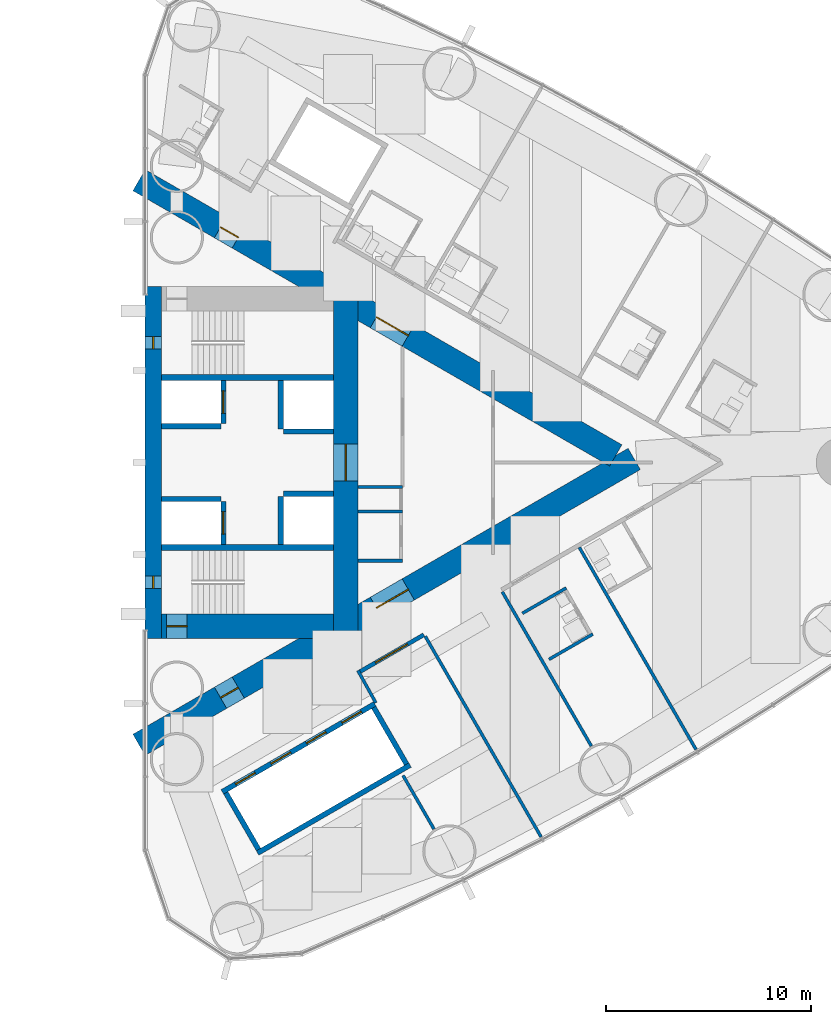
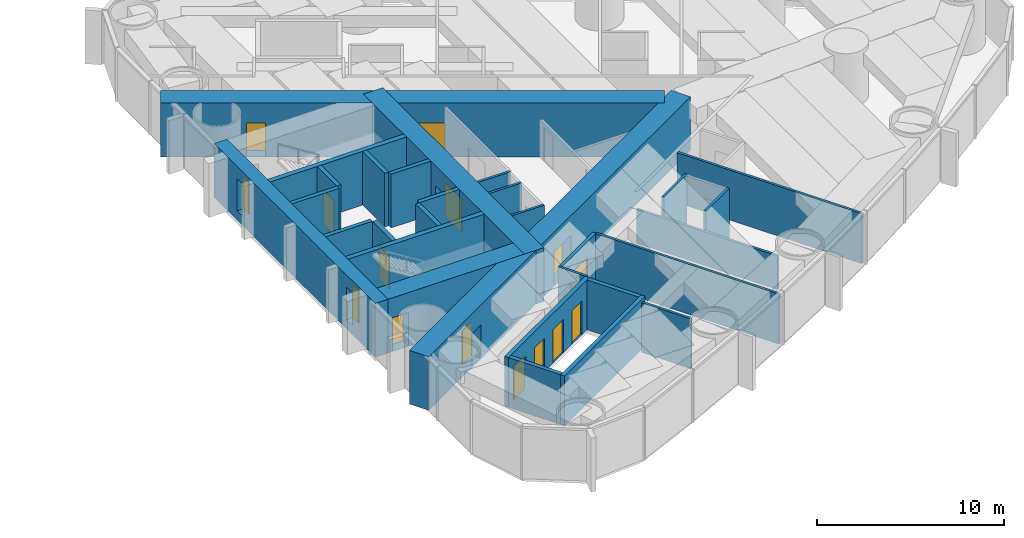
# One storey, part 13 of 18: 30 walls, 13 doors, 2 windows, 15 openings.
"""IFC4 building model written with IfcOpenShell, lengths in metres."""

from ifc_helpers import new_model, si_unit, direction, frame, frame_2d, origin, place, context, subcontext, project, spatial, rectangle, extrude, material, layer, layer_set, type_object, element, fill, save


model = new_model("IFC4")

# Units and contexts
model_context = context("Model", 3, precision=1e-05, world=origin(), true_north=direction((0.0, 1.0)))
body_context = subcontext(model_context, "Body", "Model", "MODEL_VIEW")
ifc_project = project(units=[si_unit("LENGTHUNIT", "METRE"), si_unit("AREAUNIT", "SQUARE_METRE"), si_unit("VOLUMEUNIT", "CUBIC_METRE"), si_unit("PLANEANGLEUNIT", "RADIAN"), si_unit("MASSUNIT", "GRAM", prefix="KILO")], contexts=[model_context])

# Site, building, storey
site_placement = place(None, origin())
site = spatial("IfcSite", under=ifc_project, at=site_placement, CompositionType="ELEMENT")
building_placement = place(site_placement, origin())
building = spatial("IfcBuilding", under=site, at=building_placement, Name="Lancet Gate Hotel", CompositionType="ELEMENT")
storey_placement = place(building_placement, frame((0.0, 0.0, 129.10009765625)))
storey = spatial("IfcBuildingStorey", under=building, at=storey_placement, Name="L34", CompositionType="ELEMENT", Elevation=129.10009765625)

# Walls
ifc_material_1 = material(Name="Moisture resistant board partition")
ifc_layer_1 = layer(ifc_material_1, 0.14990234375)
ifc_layer_set_1 = layer_set([ifc_layer_1], Name="Bathroom wall 150")
wall_type_1 = type_object("IfcWallType", Name="Bathroom wall 150", PredefinedType="PARTITIONING", material=ifc_layer_set_1)
wall_1_placement = place(storey_placement, frame((47.235107421875, -9.622802734375, 0.0), z_axis=(0.0, 0.0, 1.0), x_axis=(0.866006523861, 0.500032699561, 0.0)))
element("IfcWall", 1, at=wall_1_placement, inside=storey, type_object=wall_type_1, Name="T2 bathroom wall 150 L34", PredefinedType="PARTITIONING", context=body_context, shape_type="SweptSolid", body=[
    extrude(rectangle(XDim=2.474853515625, YDim=0.14990234375, at=frame_2d((1.2373046875, 0.0))), origin(), (0.0, 0.0, 1.0), 3.25),
])
wall_2_placement = place(storey_placement, frame((45.93505859375, -7.37109375, 0.0), z_axis=(0.0, 0.0, 1.0), x_axis=(0.866031185235, 0.4999899861, 0.0)))
element("IfcWall", 2, at=wall_2_placement, inside=storey, type_object=wall_type_1, Name="T2 bathroom wall 150 L34", PredefinedType="PARTITIONING", context=body_context, shape_type="SweptSolid", body=[
    extrude(rectangle(XDim=2.47509765625, YDim=0.14990234375, at=frame_2d((1.237548828125, 0.0))), origin(), (0.0, 0.0, 1.0), 3.25),
])

# Wall, openings, doors
ifc_material_2 = material(Name="Concrete C70/85", Category="concrete")
ifc_layer_2 = layer(ifc_material_2, 1.199951171875)
ifc_layer_set_2 = layer_set([ifc_layer_2], Name="Buttress wall 1200")
wall_type_2 = type_object("IfcWallType", Name="Buttress wall 1200", PredefinedType="SHEAR", material=ifc_layer_set_2)
wall_3_placement = place(storey_placement, frame((27.199951171875, -13.800048828125, 0.0), z_axis=(0.0, 0.0, 1.0), x_axis=(0.866027159892, 0.499996958321, 0.0)))
wall_3 = element("IfcWall", 3, at=wall_3_placement, inside=storey, type_object=wall_type_2, Name="T2 buttress wall S L34", PredefinedType="SHEAR", context=body_context, shape_type="SweptSolid", body=[
    extrude(rectangle(XDim=27.946533203125, YDim=1.199951171875, at=frame_2d((13.97314453125, 0.0))), origin(), (0.0, 0.0, 1.0), 3.5),
])
opening_1_placement = place(wall_3_placement, frame((4.60009765625, 0.0, 0.0)))
opening_1 = element("IfcOpeningElement", 4, at=opening_1_placement, cuts=wall_3, Name="Opening T2-L34-LS", PredefinedType="OPENING", context=body_context, shape_type="SweptSolid", body=[
    extrude(rectangle(XDim=1.0, YDim=2.199951171875, at=frame_2d((0.5, 1.10009765625))), frame((0.0, 0.60986328125, 0.0), z_axis=(0.0, -1.0, 0.0), x_axis=(1.0, 0.0, 0.0)), (0.0, 0.0, 1.0), 1.219970703125),
])
opening_2_placement = place(wall_3_placement, frame((13.39453125, 0.0, 0.0)))
opening_2 = element("IfcOpeningElement", 5, at=opening_2_placement, cuts=wall_3, Name="Opening T2-L34-LHS", PredefinedType="OPENING", context=body_context, shape_type="SweptSolid", body=[
    extrude(rectangle(XDim=1.800048828125, YDim=2.199951171875, at=frame_2d((0.89990234375, 1.10009765625))), frame((0.0, 0.60986328125, 0.0), z_axis=(0.0, -1.0, 0.0), x_axis=(1.0, 0.0, 0.0)), (0.0, 0.0, 1.0), 1.219970703125),
])
ifc_material_3 = material(Name="Timber door set", Category="wood")
door_type_1 = type_object("IfcDoorType", Name="Lobby double door 1800", OperationType="DOUBLE_DOOR_SINGLE_SWING", PredefinedType="DOOR", material=ifc_material_3)
door_1_placement = place(opening_2_placement, origin())
door_1 = element("IfcDoor", 6, at=door_1_placement, inside=storey, type_object=door_type_1, Name="T2-L34-LHS", OperationType="DOUBLE_DOOR_SINGLE_SWING", OverallHeight=2.199951171875, OverallWidth=1.800048828125, PredefinedType="DOOR", context=body_context, shape_type="SweptSolid", body=[
    extrude(rectangle(XDim=1.800048828125, YDim=2.199951171875, at=frame_2d((0.89990234375, 1.10009765625))), frame((0.0, 0.02490234375, 0.0), z_axis=(0.0, -1.0, 0.0), x_axis=(1.0, 0.0, 0.0)), (0.0, 0.0, 1.0), 0.050048828125),
])
fill(opening_2, door_1)
ifc_material_4 = material(Name="Timber door set", Category="wood")
door_type_2 = type_object("IfcDoorType", Name="Stair lobby door 1000", OperationType="SINGLE_SWING_LEFT", PredefinedType="DOOR", material=ifc_material_4)
door_2_placement = place(opening_1_placement, origin())
door_2 = element("IfcDoor", 7, at=door_2_placement, inside=storey, type_object=door_type_2, Name="T2-L34-LS", OperationType="SINGLE_SWING_LEFT", OverallHeight=2.199951171875, OverallWidth=1.0, PredefinedType="DOOR", context=body_context, shape_type="SweptSolid", body=[
    extrude(rectangle(XDim=1.0, YDim=2.199951171875, at=frame_2d((0.5, 1.10009765625))), frame((0.0, 0.02490234375, 0.0), z_axis=(0.0, -1.0, 0.0), x_axis=(1.0, 0.0, 0.0)), (0.0, 0.0, 1.0), 0.050048828125),
])
fill(opening_1, door_2)

wall_4_placement = place(storey_placement, frame((27.199951171875, 13.800048828125, 0.0), z_axis=(0.0, 0.0, 1.0), x_axis=(0.866024515034, -0.500001539357, 0.0)))
wall_4 = element("IfcWall", 8, at=wall_4_placement, inside=storey, type_object=wall_type_2, Name="T2 buttress wall N L34", PredefinedType="SHEAR", context=body_context, shape_type="SweptSolid", body=[
    extrude(rectangle(XDim=26.9072265625, YDim=1.199951171875, at=frame_2d((13.45361328125, 0.0))), origin(), (0.0, 0.0, 1.0), 3.5),
])
opening_3_placement = place(wall_4_placement, frame((4.60009765625, 0.0, 0.0)))
opening_3 = element("IfcOpeningElement", 9, at=opening_3_placement, cuts=wall_4, Name="Opening T2-L34-LN", PredefinedType="OPENING", context=body_context, shape_type="SweptSolid", body=[
    extrude(rectangle(XDim=1.0, YDim=2.199951171875, at=frame_2d((0.5, 1.10009765625))), frame((0.0, 0.60986328125, 0.0), z_axis=(0.0, -1.0, 0.0), x_axis=(1.0, 0.0, 0.0)), (0.0, 0.0, 1.0), 1.219970703125),
])
opening_4_placement = place(wall_4_placement, frame((13.39453125, 0.0, 0.0)))
opening_4 = element("IfcOpeningElement", 10, at=opening_4_placement, cuts=wall_4, Name="Opening T2-L34-LHN", PredefinedType="OPENING", context=body_context, shape_type="SweptSolid", body=[
    extrude(rectangle(XDim=1.800048828125, YDim=2.199951171875, at=frame_2d((0.89990234375, 1.10009765625))), frame((0.0, 0.60986328125, 0.0), z_axis=(0.0, -1.0, 0.0), x_axis=(1.0, 0.0, 0.0)), (0.0, 0.0, 1.0), 1.219970703125),
])
door_3_placement = place(opening_4_placement, origin())
door_3 = element("IfcDoor", 11, at=door_3_placement, inside=storey, type_object=door_type_1, Name="T2-L34-LHN", OperationType="DOUBLE_DOOR_SINGLE_SWING", OverallHeight=2.199951171875, OverallWidth=1.800048828125, PredefinedType="DOOR", context=body_context, shape_type="SweptSolid", body=[
    extrude(rectangle(XDim=1.800048828125, YDim=2.199951171875, at=frame_2d((0.89990234375, 1.10009765625))), frame((0.0, 0.02490234375, 0.0), z_axis=(0.0, -1.0, 0.0), x_axis=(1.0, 0.0, 0.0)), (0.0, 0.0, 1.0), 0.050048828125),
])
fill(opening_4, door_3)
door_4_placement = place(opening_3_placement, origin())
door_4 = element("IfcDoor", 12, at=door_4_placement, inside=storey, type_object=door_type_2, Name="T2-L34-LN", OperationType="SINGLE_SWING_LEFT", OverallHeight=2.199951171875, OverallWidth=1.0, PredefinedType="DOOR", context=body_context, shape_type="SweptSolid", body=[
    extrude(rectangle(XDim=1.0, YDim=2.199951171875, at=frame_2d((0.5, 1.10009765625))), frame((0.0, 0.02490234375, 0.0), z_axis=(0.0, -1.0, 0.0), x_axis=(1.0, 0.0, 0.0)), (0.0, 0.0, 1.0), 0.050048828125),
])
fill(opening_3, door_4)

# Wall, opening, door
ifc_material_5 = material(Name="Concrete C70/85", Category="concrete")
ifc_layer_3 = layer(ifc_material_5, 1.199951171875)
ifc_layer_set_3 = layer_set([ifc_layer_3], Name="Core wall 1200")
wall_type_3 = type_object("IfcWallType", Name="Core wall 1200", PredefinedType="SHEAR", material=ifc_layer_set_3)
wall_5_placement = place(storey_placement, frame((37.300048828125, -8.60009765625, 0.0), z_axis=(0.0, 0.0, 1.0), x_axis=(0.0, 1.0, 0.0)))
wall_5 = element("IfcWall", 13, at=wall_5_placement, inside=storey, type_object=wall_type_3, Name="T2 core wall back L34", PredefinedType="SHEAR", context=body_context, shape_type="SweptSolid", body=[
    extrude(rectangle(XDim=17.2001953125, YDim=1.199951171875, at=frame_2d((8.60009765625, 0.0))), origin(), (0.0, 0.0, 1.0), 3.5),
])
opening_5_placement = place(wall_5_placement, frame((7.699951171875, 0.0, 0.0)))
opening_5 = element("IfcOpeningElement", 14, at=opening_5_placement, cuts=wall_5, Name="Opening T2-L34-LL", PredefinedType="OPENING", context=body_context, shape_type="SweptSolid", body=[
    extrude(rectangle(XDim=1.800048828125, YDim=2.199951171875, at=frame_2d((0.89990234375, 1.10009765625))), frame((0.0, 0.60986328125, 0.0), z_axis=(0.0, -1.0, 0.0), x_axis=(1.0, 0.0, 0.0)), (0.0, 0.0, 1.0), 1.219970703125),
])
door_5_placement = place(opening_5_placement, origin())
door_5 = element("IfcDoor", 15, at=door_5_placement, inside=storey, type_object=door_type_1, Name="T2-L34-LL", OperationType="DOUBLE_DOOR_SINGLE_SWING", OverallHeight=2.199951171875, OverallWidth=1.800048828125, PredefinedType="DOOR", context=body_context, shape_type="SweptSolid", body=[
    extrude(rectangle(XDim=1.800048828125, YDim=2.199951171875, at=frame_2d((0.89990234375, 1.10009765625))), frame((0.0, 0.02490234375, 0.0), z_axis=(0.0, -1.0, 0.0), x_axis=(1.0, 0.0, 0.0)), (0.0, 0.0, 1.0), 0.050048828125),
])
fill(opening_5, door_5)

wall_6_placement = place(storey_placement, frame((28.300048828125, -8.0, 0.0), z_axis=(0.0, 0.0, 1.0), x_axis=(1.0, 0.0, 0.0)))
wall_6 = element("IfcWall", 16, at=wall_6_placement, inside=storey, type_object=wall_type_3, Name="T2 core wall side-S L34", PredefinedType="SHEAR", context=body_context, shape_type="SweptSolid", body=[
    extrude(rectangle(XDim=8.39990234375, YDim=1.199951171875, at=frame_2d((4.199951171875, 0.0))), origin(), (0.0, 0.0, 1.0), 3.5),
])
opening_6_placement = place(wall_6_placement, frame((0.25, 0.0, 0.0)))
opening_6 = element("IfcOpeningElement", 17, at=opening_6_placement, cuts=wall_6, Name="Opening T2-L34-ST1", PredefinedType="OPENING", context=body_context, shape_type="SweptSolid", body=[
    extrude(rectangle(XDim=1.0, YDim=2.199951171875, at=frame_2d((0.5, 1.10009765625))), frame((0.0, 0.60986328125, 0.0), z_axis=(0.0, -1.0, 0.0), x_axis=(1.0, 0.0, 0.0)), (0.0, 0.0, 1.0), 1.219970703125),
])
ifc_material_6 = material(Name="Timber door set", Category="wood")
door_type_3 = type_object("IfcDoorType", Name="Stair door 1000", OperationType="SINGLE_SWING_RIGHT", PredefinedType="DOOR", material=ifc_material_6)
door_6_placement = place(opening_6_placement, origin())
door_6 = element("IfcDoor", 18, at=door_6_placement, inside=storey, type_object=door_type_3, Name="T2-L34-ST1", OperationType="SINGLE_SWING_RIGHT", OverallHeight=2.199951171875, OverallWidth=1.0, PredefinedType="DOOR", context=body_context, shape_type="SweptSolid", body=[
    extrude(rectangle(XDim=1.0, YDim=2.199951171875, at=frame_2d((0.5, 1.10009765625))), frame((0.0, 0.02490234375, 0.0), z_axis=(0.0, -1.0, 0.0), x_axis=(1.0, 0.0, 0.0)), (0.0, 0.0, 1.0), 0.050048828125),
])
fill(opening_6, door_6)

# Wall, openings, windows
ifc_material_7 = material(Name="Concrete C70/85", Category="concrete")
ifc_layer_4 = layer(ifc_material_7, 0.800048828125)
ifc_layer_set_4 = layer_set([ifc_layer_4], Name="Core wall 800")
wall_type_4 = type_object("IfcWallType", Name="Core wall 800", PredefinedType="SHEAR", material=ifc_layer_set_4)
wall_7_placement = place(storey_placement, frame((27.89990234375, -8.60009765625, 0.0), z_axis=(0.0, 0.0, 1.0), x_axis=(0.0, 1.0, 0.0)))
wall_7 = element("IfcWall", 19, at=wall_7_placement, inside=storey, type_object=wall_type_4, Name="T2 core wall front L34", PredefinedType="SHEAR", context=body_context, shape_type="SweptSolid", body=[
    extrude(rectangle(XDim=17.2001953125, YDim=0.800048828125, at=frame_2d((8.60009765625, 0.0))), origin(), (0.0, 0.0, 1.0), 3.5),
])
opening_7_placement = place(wall_7_placement, frame((2.449951171875, 0.0, 0.60009765625)))
opening_7 = element("IfcOpeningElement", 20, at=opening_7_placement, cuts=wall_7, Name="Opening LW1", PredefinedType="OPENING", context=body_context, shape_type="SweptSolid", body=[
    extrude(rectangle(XDim=0.60009765625, YDim=2.10009765625, at=frame_2d((0.300048828125, 1.050048828125))), frame((0.0, 0.409912109375, 0.0), z_axis=(0.0, -1.0, 0.0), x_axis=(1.0, 0.0, 0.0)), (0.0, 0.0, 1.0), 0.820068359375),
])
opening_8_placement = place(wall_7_placement, frame((14.14990234375, 0.0, 0.60009765625)))
opening_8 = element("IfcOpeningElement", 21, at=opening_8_placement, cuts=wall_7, Name="Opening LW1", PredefinedType="OPENING", context=body_context, shape_type="SweptSolid", body=[
    extrude(rectangle(XDim=0.60009765625, YDim=2.10009765625, at=frame_2d((0.300048828125, 1.050048828125))), frame((0.0, 0.409912109375, 0.0), z_axis=(0.0, -1.0, 0.0), x_axis=(1.0, 0.0, 0.0)), (0.0, 0.0, 1.0), 0.820068359375),
])
ifc_material_8 = material(Name="Fire-resisting glazed steel window", Category="steel")
window_type = type_object("IfcWindowType", Name="Lancet window 600x2100", PartitioningType="SINGLE_PANEL", PredefinedType="WINDOW", material=ifc_material_8)
window_1_placement = place(opening_7_placement, origin())
window_1 = element("IfcWindow", 22, at=window_1_placement, inside=storey, type_object=window_type, Name="T2 stair window S L34", OverallHeight=2.10009765625, OverallWidth=0.60009765625, PartitioningType="SINGLE_PANEL", PredefinedType="WINDOW", context=body_context, shape_type="SweptSolid", body=[
    extrude(rectangle(XDim=0.60009765625, YDim=2.10009765625, at=frame_2d((0.300048828125, 1.050048828125))), frame((0.0, 0.030029296875, 0.0), z_axis=(0.0, -1.0, 0.0), x_axis=(1.0, 0.0, 0.0)), (0.0, 0.0, 1.0), 0.06005859375),
])
fill(opening_7, window_1)
window_2_placement = place(opening_8_placement, origin())
window_2 = element("IfcWindow", 23, at=window_2_placement, inside=storey, type_object=window_type, Name="T2 stair window N L34", OverallHeight=2.10009765625, OverallWidth=0.60009765625, PartitioningType="SINGLE_PANEL", PredefinedType="WINDOW", context=body_context, shape_type="SweptSolid", body=[
    extrude(rectangle(XDim=0.60009765625, YDim=2.10009765625, at=frame_2d((0.300048828125, 1.050048828125))), frame((0.0, 0.030029296875, 0.0), z_axis=(0.0, -1.0, 0.0), x_axis=(1.0, 0.0, 0.0)), (0.0, 0.0, 1.0), 0.06005859375),
])
fill(opening_8, window_2)

# Wall, opening, door
ifc_material_9 = material(Name="Gypsum board partition")
ifc_layer_5 = layer(ifc_material_9, 0.199951171875)
ifc_layer_set_5 = layer_set([ifc_layer_5], Name="Corridor wall 200")
wall_type_5 = type_object("IfcWallType", Name="Corridor wall 200", PredefinedType="PARTITIONING", material=ifc_layer_set_5)
wall_8_placement = place(storey_placement, frame((37.9599609375, -10.243408203125, 0.0), z_axis=(0.0, 0.0, 1.0), x_axis=(0.866042886279, 0.499969718208, 0.0)))
wall_8 = element("IfcWall", 24, at=wall_8_placement, inside=storey, type_object=wall_type_5, Name="T2 corridor wall 200 L34", PredefinedType="PARTITIONING", context=body_context, shape_type="SweptSolid", body=[
    extrude(rectangle(XDim=3.646728515625, YDim=0.199951171875, at=frame_2d((1.8232421875, 0.0))), origin(), (0.0, 0.0, 1.0), 3.25),
])
opening_9_placement = place(wall_8_placement, frame((0.92333984375, 0.0, 0.0)))
opening_9 = element("IfcOpeningElement", 25, at=opening_9_placement, cuts=wall_8, Name="Opening T2-L34-LO2", PredefinedType="OPENING", context=body_context, shape_type="SweptSolid", body=[
    extrude(rectangle(XDim=1.800048828125, YDim=2.199951171875, at=frame_2d((0.89990234375, 1.10009765625))), frame((0.0, 0.10986328125, 0.0), z_axis=(0.0, -1.0, 0.0), x_axis=(1.0, 0.0, 0.0)), (0.0, 0.0, 1.0), 0.219970703125),
])
ifc_material_10 = material(Name="Timber door set", Category="wood")
door_type_4 = type_object("IfcDoorType", Name="Double door 1800", OperationType="DOUBLE_DOOR_SINGLE_SWING", PredefinedType="DOOR", material=ifc_material_10)
door_7_placement = place(opening_9_placement, origin())
door_7 = element("IfcDoor", 26, at=door_7_placement, inside=storey, type_object=door_type_4, Name="T2-L34-LO2", OperationType="DOUBLE_DOOR_SINGLE_SWING", OverallHeight=2.199951171875, OverallWidth=1.800048828125, PredefinedType="DOOR", context=body_context, shape_type="SweptSolid", body=[
    extrude(rectangle(XDim=1.800048828125, YDim=2.199951171875, at=frame_2d((0.89990234375, 1.10009765625))), frame((0.0, 0.02490234375, 0.0), z_axis=(0.0, -1.0, 0.0), x_axis=(1.0, 0.0, 0.0)), (0.0, 0.0, 1.0), 0.050048828125),
])
fill(opening_9, door_7)

# Wall, openings, doors
ifc_material_11 = material(Name="Gypsum board partition")
ifc_layer_6 = layer(ifc_material_11, 0.25)
ifc_layer_set_6 = layer_set([ifc_layer_6], Name="Lift shaft partition 250")
wall_type_6 = type_object("IfcWallType", Name="Lift shaft partition 250", PredefinedType="PARTITIONING", material=ifc_layer_set_6)
wall_9_placement = place(storey_placement, frame((31.2705078125, -16.09716796875, 0.0), z_axis=(0.0, 0.0, 1.0), x_axis=(0.86604045752, 0.499973925258, 0.0)))
wall_9 = element("IfcWall", 27, at=wall_9_placement, inside=storey, type_object=wall_type_6, Name="T2 lift shaft wall LR L34", PredefinedType="PARTITIONING", context=body_context, shape_type="SweptSolid", body=[
    extrude(rectangle(XDim=8.60009765625, YDim=0.25, at=frame_2d((4.300048828125, 0.0))), origin(), (0.0, 0.0, 1.0), 3.25),
])
opening_10_placement = place(wall_9_placement, frame((0.75, 0.0, 0.0)))
opening_10 = element("IfcOpeningElement", 28, at=opening_10_placement, cuts=wall_9, Name="Opening T2-LR1-L34", PredefinedType="OPENING", context=body_context, shape_type="SweptSolid", body=[
    extrude(rectangle(XDim=1.10009765625, YDim=2.199951171875, at=frame_2d((0.550048828125, 1.10009765625))), frame((0.0, 0.135009765625, 0.0), z_axis=(0.0, -1.0, 0.0), x_axis=(1.0, 0.0, 0.0)), (0.0, 0.0, 1.0), 0.27001953125),
])
opening_11_placement = place(wall_9_placement, frame((2.75, 0.0, 0.0)))
opening_11 = element("IfcOpeningElement", 29, at=opening_11_placement, cuts=wall_9, Name="Opening T2-LR2-L34", PredefinedType="OPENING", context=body_context, shape_type="SweptSolid", body=[
    extrude(rectangle(XDim=1.10009765625, YDim=2.199951171875, at=frame_2d((0.550048828125, 1.10009765625))), frame((0.0, 0.135009765625, 0.0), z_axis=(0.0, -1.0, 0.0), x_axis=(1.0, 0.0, 0.0)), (0.0, 0.0, 1.0), 0.27001953125),
])
opening_12_placement = place(wall_9_placement, frame((4.75, 0.0, 0.0)))
opening_12 = element("IfcOpeningElement", 30, at=opening_12_placement, cuts=wall_9, Name="Opening T2-LR3-L34", PredefinedType="OPENING", context=body_context, shape_type="SweptSolid", body=[
    extrude(rectangle(XDim=1.10009765625, YDim=2.199951171875, at=frame_2d((0.550048828125, 1.10009765625))), frame((0.0, 0.135009765625, 0.0), z_axis=(0.0, -1.0, 0.0), x_axis=(1.0, 0.0, 0.0)), (0.0, 0.0, 1.0), 0.27001953125),
])
opening_13_placement = place(wall_9_placement, frame((6.75, 0.0, 0.0)))
opening_13 = element("IfcOpeningElement", 31, at=opening_13_placement, cuts=wall_9, Name="Opening T2-LR4-L34", PredefinedType="OPENING", context=body_context, shape_type="SweptSolid", body=[
    extrude(rectangle(XDim=1.10009765625, YDim=2.199951171875, at=frame_2d((0.550048828125, 1.10009765625))), frame((0.0, 0.135009765625, 0.0), z_axis=(0.0, -1.0, 0.0), x_axis=(1.0, 0.0, 0.0)), (0.0, 0.0, 1.0), 0.27001953125),
])
ifc_material_12 = material(Name="Steel door set", Category="steel")
door_type_5 = type_object("IfcDoorType", Name="Lift landing door 1100", OperationType="DOUBLE_DOOR_SLIDING", PredefinedType="USERDEFINED", material=ifc_material_12)
door_8_placement = place(opening_10_placement, origin())
door_8 = element("IfcDoor", 32, at=door_8_placement, inside=storey, type_object=door_type_5, Name="T2-LR1-L34", ObjectType="LIFT LANDING DOOR", OperationType="DOUBLE_DOOR_SLIDING", OverallHeight=2.199951171875, OverallWidth=1.10009765625, PredefinedType="USERDEFINED", context=body_context, shape_type="SweptSolid", body=[
    extrude(rectangle(XDim=1.10009765625, YDim=2.199951171875, at=frame_2d((0.550048828125, 1.10009765625))), frame((0.0, 0.02490234375, 0.0), z_axis=(0.0, -1.0, 0.0), x_axis=(1.0, 0.0, 0.0)), (0.0, 0.0, 1.0), 0.050048828125),
])
fill(opening_10, door_8)
door_9_placement = place(opening_11_placement, origin())
door_9 = element("IfcDoor", 33, at=door_9_placement, inside=storey, type_object=door_type_5, Name="T2-LR2-L34", ObjectType="LIFT LANDING DOOR", OperationType="DOUBLE_DOOR_SLIDING", OverallHeight=2.199951171875, OverallWidth=1.10009765625, PredefinedType="USERDEFINED", context=body_context, shape_type="SweptSolid", body=[
    extrude(rectangle(XDim=1.10009765625, YDim=2.199951171875, at=frame_2d((0.550048828125, 1.10009765625))), frame((0.0, 0.02490234375, 0.0), z_axis=(0.0, -1.0, 0.0), x_axis=(1.0, 0.0, 0.0)), (0.0, 0.0, 1.0), 0.050048828125),
])
fill(opening_11, door_9)
door_10_placement = place(opening_12_placement, origin())
door_10 = element("IfcDoor", 34, at=door_10_placement, inside=storey, type_object=door_type_5, Name="T2-LR3-L34", ObjectType="LIFT LANDING DOOR", OperationType="DOUBLE_DOOR_SLIDING", OverallHeight=2.199951171875, OverallWidth=1.10009765625, PredefinedType="USERDEFINED", context=body_context, shape_type="SweptSolid", body=[
    extrude(rectangle(XDim=1.10009765625, YDim=2.199951171875, at=frame_2d((0.550048828125, 1.10009765625))), frame((0.0, 0.02490234375, 0.0), z_axis=(0.0, -1.0, 0.0), x_axis=(1.0, 0.0, 0.0)), (0.0, 0.0, 1.0), 0.050048828125),
])
fill(opening_12, door_10)
door_11_placement = place(opening_13_placement, origin())
door_11 = element("IfcDoor", 35, at=door_11_placement, inside=storey, type_object=door_type_5, Name="T2-LR4-L34", ObjectType="LIFT LANDING DOOR", OperationType="DOUBLE_DOOR_SLIDING", OverallHeight=2.199951171875, OverallWidth=1.10009765625, PredefinedType="USERDEFINED", context=body_context, shape_type="SweptSolid", body=[
    extrude(rectangle(XDim=1.10009765625, YDim=2.199951171875, at=frame_2d((0.550048828125, 1.10009765625))), frame((0.0, 0.02490234375, 0.0), z_axis=(0.0, -1.0, 0.0), x_axis=(1.0, 0.0, 0.0)), (0.0, 0.0, 1.0), 0.050048828125),
])
fill(opening_13, door_11)

# Walls
wall_10_placement = place(storey_placement, frame((32.99560546875, -19.085693359375, 0.0), z_axis=(0.0, 0.0, 1.0), x_axis=(0.866028165386, 0.499995216735, 0.0)))
element("IfcWall", 36, at=wall_10_placement, inside=storey, type_object=wall_type_6, Name="T2 lift shaft wall LR L34", PredefinedType="PARTITIONING", context=body_context, shape_type="SweptSolid", body=[
    extrude(rectangle(XDim=8.60009765625, YDim=0.25, at=frame_2d((4.300048828125, 0.0))), origin(), (0.0, 0.0, 1.0), 3.25),
])
for number, where, z_axis, x_axis, name in (
    (37, (31.441162109375, -16.14306640625, 0.0), (0.0, 0.0, 1.0), (0.499929347863, -0.866066190972, 0.0), "T2 lift shaft wall LR L34"),
    (38, (38.672607421875, -11.968017578125, 0.0), (0.0, 0.0, 1.0), (0.499929347863, -0.866066190972, 0.0), "T2 lift shaft wall LR L34"),
):
    element("IfcWall", number, at=place(storey_placement, frame(where, z_axis=z_axis, x_axis=x_axis)), inside=storey, type_object=wall_type_6, Name=name, PredefinedType="PARTITIONING", context=body_context, shape_type="SweptSolid", body=[
        extrude(rectangle(XDim=3.20068359375, YDim=0.25, at=frame_2d((1.600341796875, 0.0))), origin(), (0.0, 0.0, 1.0), 3.25),
    ])

# Wall, opening, door
ifc_material_13 = material(Name="Concrete C50/60", Category="concrete")
ifc_layer_7 = layer(ifc_material_13, 0.25)
ifc_layer_set_7 = layer_set([ifc_layer_7], Name="Lift shaft wall 250")
wall_type_7 = type_object("IfcWallType", Name="Lift shaft wall 250", PredefinedType="SHEAR", material=ifc_layer_set_7)
wall_11_placement = place(storey_placement, frame((31.324951171875, -4.0, 0.0), z_axis=(0.0, 0.0, 1.0), x_axis=(0.0, 1.0, 0.0)))
wall_11 = element("IfcWall", 39, at=wall_11_placement, inside=storey, type_object=wall_type_7, Name="T2 core wall row1-S L34", PredefinedType="SHEAR", context=body_context, shape_type="SweptSolid", body=[
    extrude(rectangle(XDim=2.10009765625, YDim=0.25, at=frame_2d((1.050048828125, 0.0))), origin(), (0.0, 0.0, 1.0), 3.5),
])
opening_14_placement = place(wall_11_placement, frame((0.5, 0.0, 0.0)))
opening_14 = element("IfcOpeningElement", 40, at=opening_14_placement, cuts=wall_11, Name="Opening T2-SL1-L34", PredefinedType="OPENING", context=body_context, shape_type="SweptSolid", body=[
    extrude(rectangle(XDim=1.10009765625, YDim=2.199951171875, at=frame_2d((0.550048828125, 1.10009765625))), frame((0.0, 0.135009765625, 0.0), z_axis=(0.0, -1.0, 0.0), x_axis=(1.0, 0.0, 0.0)), (0.0, 0.0, 1.0), 0.27001953125),
])
ifc_material_14 = material(Name="Timber door set", Category="wood")
door_type_6 = type_object("IfcDoorType", Name="Service lift landing door 1100", OperationType="SLIDING_TO_LEFT", PredefinedType="USERDEFINED", material=ifc_material_14)
door_12_placement = place(opening_14_placement, origin())
door_12 = element("IfcDoor", 41, at=door_12_placement, inside=storey, type_object=door_type_6, Name="T2-SL1-L34", ObjectType="LIFT LANDING DOOR", OperationType="SLIDING_TO_LEFT", OverallHeight=2.199951171875, OverallWidth=1.10009765625, PredefinedType="USERDEFINED", context=body_context, shape_type="SweptSolid", body=[
    extrude(rectangle(XDim=1.10009765625, YDim=2.199951171875, at=frame_2d((0.550048828125, 1.10009765625))), frame((0.0, 0.02490234375, 0.0), z_axis=(0.0, -1.0, 0.0), x_axis=(1.0, 0.0, 0.0)), (0.0, 0.0, 1.0), 0.050048828125),
])
fill(opening_14, door_12)

# Walls
wall_12_placement = place(storey_placement, frame((34.125, -4.0, 0.0), z_axis=(0.0, 0.0, 1.0), x_axis=(0.0, 1.0, 0.0)))
element("IfcWall", 42, at=wall_12_placement, inside=storey, type_object=wall_type_7, Name="T2 core wall row2-S L34", PredefinedType="SHEAR", context=body_context, shape_type="SweptSolid", body=[
    extrude(rectangle(XDim=2.35009765625, YDim=0.25, at=frame_2d((1.175048828125, 0.0))), origin(), (0.0, 0.0, 1.0), 3.5),
])
wall_13_placement = place(storey_placement, frame((28.300048828125, -1.77490234375, 0.0), z_axis=(0.0, 0.0, 1.0), x_axis=(1.0, 0.0, 0.0)))
element("IfcWall", 43, at=wall_13_placement, inside=storey, type_object=wall_type_7, Name="T2 core wall pass1-S L34", PredefinedType="SHEAR", context=body_context, shape_type="SweptSolid", body=[
    extrude(rectangle(XDim=2.89990234375, YDim=0.25, at=frame_2d((1.449951171875, 0.0))), origin(), (0.0, 0.0, 1.0), 3.5),
])
wall_14_placement = place(storey_placement, frame((34.25, -1.52490234375, 0.0), z_axis=(0.0, 0.0, 1.0), x_axis=(1.0, 0.0, 0.0)))
element("IfcWall", 44, at=wall_14_placement, inside=storey, type_object=wall_type_7, Name="T2 core wall pass2-S L34", PredefinedType="SHEAR", context=body_context, shape_type="SweptSolid", body=[
    extrude(rectangle(XDim=2.449951171875, YDim=0.25, at=frame_2d((1.22509765625, 0.0))), origin(), (0.0, 0.0, 1.0), 3.5),
])

# Wall, opening, door
wall_15_placement = place(storey_placement, frame((31.324951171875, 1.89990234375, 0.0), z_axis=(0.0, 0.0, 1.0), x_axis=(0.0, 1.0, 0.0)))
wall_15 = element("IfcWall", 45, at=wall_15_placement, inside=storey, type_object=wall_type_7, Name="T2 core wall row1-N L34", PredefinedType="SHEAR", context=body_context, shape_type="SweptSolid", body=[
    extrude(rectangle(XDim=2.10009765625, YDim=0.25, at=frame_2d((1.050048828125, 0.0))), origin(), (0.0, 0.0, 1.0), 3.5),
])
opening_15_placement = place(wall_15_placement, frame((0.5, 0.0, 0.0)))
opening_15 = element("IfcOpeningElement", 46, at=opening_15_placement, cuts=wall_15, Name="Opening T2-FL2-L34", PredefinedType="OPENING", context=body_context, shape_type="SweptSolid", body=[
    extrude(rectangle(XDim=1.10009765625, YDim=2.199951171875, at=frame_2d((0.550048828125, 1.10009765625))), frame((0.0, 0.135009765625, 0.0), z_axis=(0.0, -1.0, 0.0), x_axis=(1.0, 0.0, 0.0)), (0.0, 0.0, 1.0), 0.27001953125),
])
ifc_material_15 = material(Name="Steel door set", Category="steel")
door_type_7 = type_object("IfcDoorType", Name="Firefighting lift landing door 1100", OperationType="SLIDING_TO_LEFT", PredefinedType="USERDEFINED", material=ifc_material_15)
door_13_placement = place(opening_15_placement, origin())
door_13 = element("IfcDoor", 47, at=door_13_placement, inside=storey, type_object=door_type_7, Name="T2-FL2-L34", ObjectType="LIFT LANDING DOOR", OperationType="SLIDING_TO_LEFT", OverallHeight=2.199951171875, OverallWidth=1.10009765625, PredefinedType="USERDEFINED", context=body_context, shape_type="SweptSolid", body=[
    extrude(rectangle(XDim=1.10009765625, YDim=2.199951171875, at=frame_2d((0.550048828125, 1.10009765625))), frame((0.0, 0.02490234375, 0.0), z_axis=(0.0, -1.0, 0.0), x_axis=(1.0, 0.0, 0.0)), (0.0, 0.0, 1.0), 0.050048828125),
])
fill(opening_15, door_13)

# Walls
wall_16_placement = place(storey_placement, frame((34.125, 1.64990234375, 0.0), z_axis=(0.0, 0.0, 1.0), x_axis=(0.0, 1.0, 0.0)))
element("IfcWall", 48, at=wall_16_placement, inside=storey, type_object=wall_type_7, Name="T2 core wall row2-N L34", PredefinedType="SHEAR", context=body_context, shape_type="SweptSolid", body=[
    extrude(rectangle(XDim=2.35009765625, YDim=0.25, at=frame_2d((1.175048828125, 0.0))), origin(), (0.0, 0.0, 1.0), 3.5),
])
wall_17_placement = place(storey_placement, frame((28.300048828125, 1.77490234375, 0.0), z_axis=(0.0, 0.0, 1.0), x_axis=(1.0, 0.0, 0.0)))
element("IfcWall", 49, at=wall_17_placement, inside=storey, type_object=wall_type_7, Name="T2 core wall pass1-N L34", PredefinedType="SHEAR", context=body_context, shape_type="SweptSolid", body=[
    extrude(rectangle(XDim=2.89990234375, YDim=0.25, at=frame_2d((1.449951171875, 0.0))), origin(), (0.0, 0.0, 1.0), 3.5),
])
wall_18_placement = place(storey_placement, frame((34.25, 1.52490234375, 0.0), z_axis=(0.0, 0.0, 1.0), x_axis=(1.0, 0.0, 0.0)))
element("IfcWall", 50, at=wall_18_placement, inside=storey, type_object=wall_type_7, Name="T2 core wall pass2-N L34", PredefinedType="SHEAR", context=body_context, shape_type="SweptSolid", body=[
    extrude(rectangle(XDim=2.449951171875, YDim=0.25, at=frame_2d((1.22509765625, 0.0))), origin(), (0.0, 0.0, 1.0), 3.5),
])
ifc_material_16 = material(Name="Gypsum board partition")
ifc_layer_8 = layer(ifc_material_16, 0.14990234375)
ifc_layer_set_8 = layer_set([ifc_layer_8], Name="Party wall 150")
wall_type_8 = type_object("IfcWallType", Name="Party wall 150", PredefinedType="PARTITIONING", material=ifc_layer_set_8)
wall_19_placement = place(storey_placement, frame((41.18994140625, -8.494140625, 0.0), z_axis=(0.0, 0.0, 1.0), x_axis=(0.49999258054, -0.866029687369, 0.0)))
element("IfcWall", 51, at=wall_19_placement, inside=storey, type_object=wall_type_8, Name="T2 party wall 150 L34", PredefinedType="PARTITIONING", context=body_context, shape_type="SweptSolid", body=[
    extrude(rectangle(XDim=11.318115234375, YDim=0.14990234375, at=frame_2d((5.6591796875, 0.0))), origin(), (0.0, 0.0, 1.0), 3.25),
])
wall_20_placement = place(storey_placement, frame((44.95361328125, -6.3212890625, 0.0), z_axis=(0.0, 0.0, 1.0), x_axis=(0.500018676722, -0.866014620505, 0.0)))
element("IfcWall", 52, at=wall_20_placement, inside=storey, type_object=wall_type_8, Name="T2 party wall 150 L34", PredefinedType="PARTITIONING", context=body_context, shape_type="SweptSolid", body=[
    extrude(rectangle(XDim=8.703857421875, YDim=0.14990234375, at=frame_2d((4.35205078125, 0.0))), origin(), (0.0, 0.0, 1.0), 2.199951171875),
])
wall_21_placement = place(storey_placement, frame((48.718505859375, -4.1474609375, 0.0), z_axis=(0.0, 0.0, 1.0), x_axis=(0.499990498062, -0.866030889661, 0.0)))
element("IfcWall", 53, at=wall_21_placement, inside=storey, type_object=wall_type_8, Name="T2 party wall 150 L34", PredefinedType="PARTITIONING", context=body_context, shape_type="SweptSolid", body=[
    extrude(rectangle(XDim=11.406005859375, YDim=0.14990234375, at=frame_2d((5.703125, 0.0))), origin(), (0.0, 0.0, 1.0), 3.25),
])
wall_22_placement = place(storey_placement, frame((40.10546875, -15.298583984375, 0.0), z_axis=(0.0, 0.0, 1.0), x_axis=(0.499978822259, -0.866037630414, 0.0)))
element("IfcWall", 54, at=wall_22_placement, inside=storey, type_object=wall_type_8, Name="T2 party wall 150 L34", PredefinedType="PARTITIONING", context=body_context, shape_type="SweptSolid", body=[
    extrude(rectangle(XDim=3.022705078125, YDim=0.14990234375, at=frame_2d((1.51123046875, 0.0))), origin(), (0.0, 0.0, 1.0), 3.25),
])
ifc_material_17 = material(Name="Gypsum board partition")
ifc_layer_9 = layer(ifc_material_17, 0.14990234375)
ifc_layer_set_9 = layer_set([ifc_layer_9], Name="Service room wall 150")
wall_type_9 = type_object("IfcWallType", Name="Service room wall 150", PredefinedType="PARTITIONING", material=ifc_layer_set_9)
wall_23_placement = place(storey_placement, frame((38.7734375, -11.742431640625, 0.0), z_axis=(0.0, 0.0, 1.0), x_axis=(-0.485528096672, 0.8742210632, 0.0)))
element("IfcWall", 55, at=wall_23_placement, inside=storey, type_object=wall_type_9, Name="T2 service room wall 150 L34", PredefinedType="PARTITIONING", context=body_context, shape_type="SweptSolid", body=[
    extrude(rectangle(XDim=1.80517578125, YDim=0.14990234375, at=frame_2d((0.902587890625, 0.0))), origin(), (0.0, 0.0, 1.0), 3.25),
])
for number, where, z_axis, x_axis, name in (
    (56, (37.89990234375, -1.199951171875, 0.0), (0.0, 0.0, 1.0), (1.0, 0.0, 0.0), "T2 service room wall 150 L34"),
    (57, (37.89990234375, -2.39990234375, 0.0), (0.0, 0.0, 1.0), (1.0, 0.0, 0.0), "T2 service room wall 150 L34"),
    (58, (37.89990234375, -4.800048828125, 0.0), (0.0, 0.0, 1.0), (1.0, 0.0, 0.0), "T2 service room wall 150 L34"),
):
    element("IfcWall", number, at=place(storey_placement, frame(where, z_axis=z_axis, x_axis=x_axis)), inside=storey, type_object=wall_type_9, Name=name, PredefinedType="PARTITIONING", context=body_context, shape_type="SweptSolid", body=[
        extrude(rectangle(XDim=2.175048828125, YDim=0.14990234375, at=frame_2d((1.08740234375, 0.0))), origin(), (0.0, 0.0, 1.0), 3.25),
    ])
ifc_material_18 = material(Name="Concrete C50/60", Category="concrete")
ifc_layer_10 = layer(ifc_material_18, 0.300048828125)
ifc_layer_set_10 = layer_set([ifc_layer_10], Name="Stair enclosure wall 300")
wall_type_10 = type_object("IfcWallType", Name="Stair enclosure wall 300", PredefinedType="SHEAR", material=ifc_layer_set_10)
for number, where, z_axis, x_axis, name in (
    (59, (28.300048828125, -4.14990234375, 0.0), (0.0, 0.0, 1.0), (1.0, 0.0, 0.0), "T2 core wall stair-S L34"),
    (60, (28.300048828125, 4.14990234375, 0.0), (0.0, 0.0, 1.0), (1.0, 0.0, 0.0), "T2 core wall stair-N L34"),
):
    element("IfcWall", number, at=place(storey_placement, frame(where, z_axis=z_axis, x_axis=x_axis)), inside=storey, type_object=wall_type_10, Name=name, PredefinedType="SHEAR", context=body_context, shape_type="SweptSolid", body=[
        extrude(rectangle(XDim=8.39990234375, YDim=0.300048828125, at=frame_2d((4.199951171875, 0.0))), origin(), (0.0, 0.0, 1.0), 3.5),
    ])

save(model, "model.ifc")
